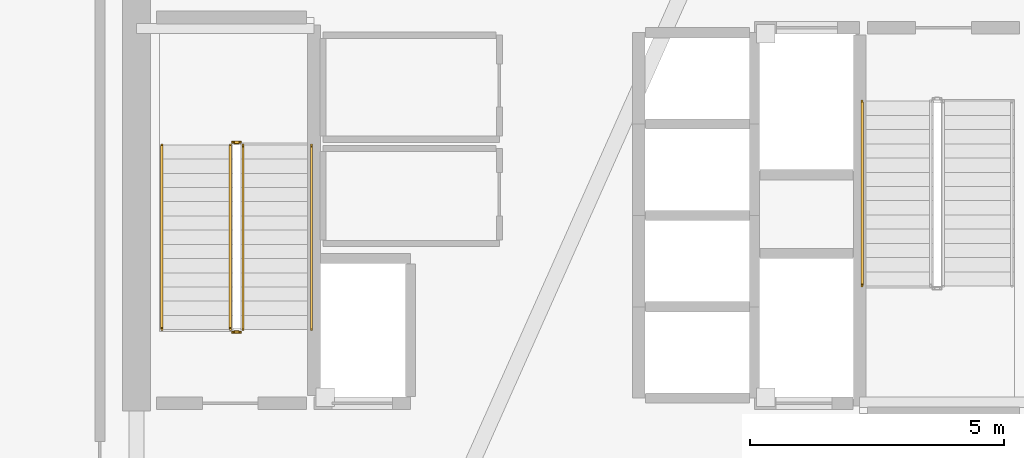
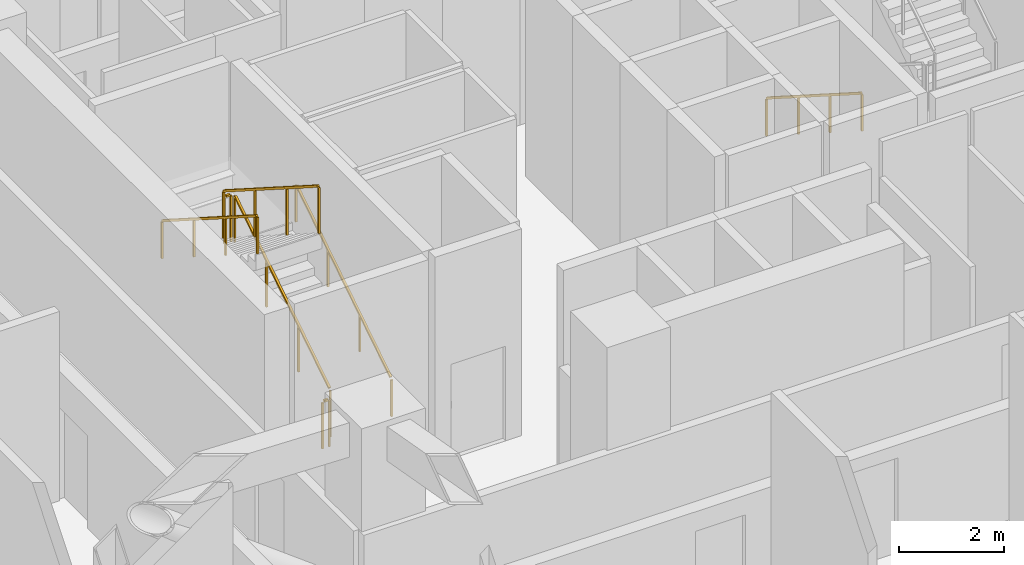
# One storey, part 10 of 13: 7 railings.
"""IFC4 building model written with IfcOpenShell, lengths in metres."""

from ifc_helpers import new_model, si_unit, direction, frame, origin, origin_2d, place, context, subcontext, project, spatial, rectangle, extrude, material, type_object, element, save


model = new_model("IFC4")

# Units and contexts
model_context = context("Model", 3, precision=1e-05, world=origin(), true_north=direction((0.0, 1.0)))
body_context = subcontext(model_context, "Body", "Model", "MODEL_VIEW")
ifc_project = project(units=[si_unit("LENGTHUNIT", "METRE"), si_unit("AREAUNIT", "SQUARE_METRE"), si_unit("VOLUMEUNIT", "CUBIC_METRE"), si_unit("PLANEANGLEUNIT", "RADIAN"), si_unit("MASSUNIT", "GRAM", prefix="KILO")], contexts=[model_context])

# Site, building, storey
site_placement = place(None, origin())
site = spatial("IfcSite", under=ifc_project, at=site_placement, CompositionType="ELEMENT")
building_placement = place(site_placement, origin())
building = spatial("IfcBuilding", under=site, at=building_placement, Name="Tharavind Bronze Gate", CompositionType="ELEMENT")
storey_placement = place(building_placement, frame((0.0, 0.0, 81.10009765625)))
storey = spatial("IfcBuildingStorey", under=building, at=storey_placement, Name="L20", CompositionType="ELEMENT", Elevation=81.10009765625)

# Railings
ifc_material = material(Name="Brushed Bronze Alloy", Category="metal")
railing_type_1 = type_object("IfcRailingType", Name="STAIR BRONZE HANDRAIL 900", PredefinedType="HANDRAIL", material=ifc_material)
railing_1_placement = place(storey_placement, frame((-5.449951171875, -2.25, 0.178466796875)))
element("IfcRailing", 1, at=railing_1_placement, inside=storey, type_object=railing_type_1, Name="L20 ST1 stair handrail 1", PredefinedType="HANDRAIL", context=body_context, shape_type="SweptSolid", body=[
    extrude(rectangle(XDim=0.048095703125, YDim=0.048095703125, at=origin_2d()), frame((0.0, 0.027099609375, 0.89306640625), z_axis=(0.0, 0.843111507901, 0.53773877045), x_axis=(-1.0, 0.0, 0.0)), (0.0, 0.0, 1.0), 4.253173828125),
    extrude(rectangle(XDim=0.0400390625, YDim=0.0400390625, at=origin_2d()), origin(), (0.0, 0.0, 1.0), 0.847900390625),
    extrude(rectangle(XDim=0.0400390625, YDim=0.0400390625, at=origin_2d()), frame((0.0, 1.21337890625, 0.77392578125)), (0.0, 0.0, 1.0), 0.847900390625),
    extrude(rectangle(XDim=0.0400390625, YDim=0.0400390625, at=origin_2d()), frame((0.0, 2.426513671875, 1.547607421875)), (0.0, 0.0, 1.0), 0.847900390625),
    extrude(rectangle(XDim=0.0400390625, YDim=0.0400390625, at=origin_2d()), frame((0.0, 3.639892578125, 2.321533203125)), (0.0, 0.0, 1.0), 0.847900390625),
])
for number, where, name in (
    (2, (-8.39990234375, 1.389892578125, 2.678466796875), "L20 ST1 stair handrail 2"),
    (3, (5.39990234375, 2.25, 0.178466796875), "L20 ST2 stair handrail 1"),
):
    element("IfcRailing", number, at=place(storey_placement, frame(where)), inside=storey, type_object=railing_type_1, Name=name, PredefinedType="HANDRAIL", context=body_context, shape_type="SweptSolid", body=[
        extrude(rectangle(XDim=0.048095703125, YDim=0.048095703125, at=origin_2d()), frame((0.0, -0.027099609375, 0.89306640625), z_axis=(0.0, -0.843111507901, 0.53773877045), x_axis=(1.0, 0.0, 0.0)), (0.0, 0.0, 1.0), 4.253173828125),
        extrude(rectangle(XDim=0.0400390625, YDim=0.0400390625, at=origin_2d()), origin(), (0.0, 0.0, 1.0), 0.847900390625),
        extrude(rectangle(XDim=0.0400390625, YDim=0.0400390625, at=origin_2d()), frame((0.0, -1.21337890625, 0.77392578125)), (0.0, 0.0, 1.0), 0.847900390625),
        extrude(rectangle(XDim=0.0400390625, YDim=0.0400390625, at=origin_2d()), frame((0.0, -2.426513671875, 1.547607421875)), (0.0, 0.0, 1.0), 0.847900390625),
        extrude(rectangle(XDim=0.0400390625, YDim=0.0400390625, at=origin_2d()), frame((0.0, -3.639892578125, 2.321533203125)), (0.0, 0.0, 1.0), 0.847900390625),
    ])
railing_type_2 = type_object("IfcRailingType", Name="STAIR WELL GUARD RAILING 1120", PredefinedType="GUARDRAIL", material=ifc_material)
railing_2_placement = place(storey_placement, frame((-6.800048828125, -2.25, 0.178466796875)))
element("IfcRailing", 4, at=railing_2_placement, inside=storey, type_object=railing_type_2, Name="L20 ST1 stair guard 1", PredefinedType="GUARDRAIL", context=body_context, shape_type="SweptSolid", body=[
    extrude(rectangle(XDim=0.048095703125, YDim=0.048095703125, at=origin_2d()), frame((0.0, 0.027099609375, 1.11328125), z_axis=(0.0, 0.843111507901, 0.53773877045), x_axis=(-1.0, 0.0, 0.0)), (0.0, 0.0, 1.0), 4.253173828125),
    extrude(rectangle(XDim=0.0400390625, YDim=0.0400390625, at=origin_2d()), origin(), (0.0, 0.0, 1.0), 1.068115234375),
    extrude(rectangle(XDim=0.0400390625, YDim=0.0400390625, at=origin_2d()), frame((0.0, 1.21337890625, 0.77392578125)), (0.0, 0.0, 1.0), 1.068115234375),
    extrude(rectangle(XDim=0.0400390625, YDim=0.0400390625, at=origin_2d()), frame((0.0, 2.426513671875, 1.547607421875)), (0.0, 0.0, 1.0), 1.068115234375),
    extrude(rectangle(XDim=0.0400390625, YDim=0.0400390625, at=origin_2d()), frame((0.0, 3.639892578125, 2.321533203125)), (0.0, 0.0, 1.0), 1.068115234375),
])
railing_3_placement = place(storey_placement, frame((-6.85009765625, 1.43994140625, 2.5)))
element("IfcRailing", 5, at=railing_3_placement, inside=storey, type_object=railing_type_2, Name="L20 ST1 stair guard 2", PredefinedType="GUARDRAIL", context=body_context, shape_type="SweptSolid", body=[
    extrude(rectangle(XDim=0.048095703125, YDim=0.048095703125, at=origin_2d()), frame((-0.031982421875, 0.0, 1.09619140625), z_axis=(-1.0, 0.0, 0.0), x_axis=(0.0, -1.0, 0.0)), (0.0, 0.0, 1.0), 0.0859375),
    extrude(rectangle(XDim=0.0400390625, YDim=0.0400390625, at=origin_2d()), origin(), (0.0, 0.0, 1.0), 1.068115234375),
    extrude(rectangle(XDim=0.0400390625, YDim=0.0400390625, at=origin_2d()), frame((-0.14990234375, 0.0, 0.0)), (0.0, 0.0, 1.0), 1.068115234375),
])
railing_4_placement = place(storey_placement, frame((-7.050048828125, 1.389892578125, 2.678466796875)))
element("IfcRailing", 6, at=railing_4_placement, inside=storey, type_object=railing_type_2, Name="L20 ST1 stair guard 3", PredefinedType="GUARDRAIL", context=body_context, shape_type="SweptSolid", body=[
    extrude(rectangle(XDim=0.048095703125, YDim=0.048095703125, at=origin_2d()), frame((0.0, -0.027099609375, 1.11328125), z_axis=(0.0, -0.843111507901, 0.53773877045), x_axis=(1.0, 0.0, 0.0)), (0.0, 0.0, 1.0), 4.253173828125),
    extrude(rectangle(XDim=0.0400390625, YDim=0.0400390625, at=origin_2d()), origin(), (0.0, 0.0, 1.0), 1.068115234375),
    extrude(rectangle(XDim=0.0400390625, YDim=0.0400390625, at=origin_2d()), frame((0.0, -1.21337890625, 0.77392578125)), (0.0, 0.0, 1.0), 1.068115234375),
    extrude(rectangle(XDim=0.0400390625, YDim=0.0400390625, at=origin_2d()), frame((0.0, -2.426513671875, 1.547607421875)), (0.0, 0.0, 1.0), 1.068115234375),
    extrude(rectangle(XDim=0.0400390625, YDim=0.0400390625, at=origin_2d()), frame((0.0, -3.639892578125, 2.321533203125)), (0.0, 0.0, 1.0), 1.068115234375),
])
railing_5_placement = place(storey_placement, frame((-6.85009765625, -2.300048828125, 0.0)))
element("IfcRailing", 7, at=railing_5_placement, inside=storey, type_object=railing_type_2, Name="L20 ST1 stair guard 4", PredefinedType="GUARDRAIL", context=body_context, shape_type="SweptSolid", body=[
    extrude(rectangle(XDim=0.048095703125, YDim=0.048095703125, at=origin_2d()), frame((-0.031982421875, 0.0, 1.09619140625), z_axis=(-1.0, 0.0, 0.0), x_axis=(0.0, -1.0, 0.0)), (0.0, 0.0, 1.0), 0.0859375),
    extrude(rectangle(XDim=0.0400390625, YDim=0.0400390625, at=origin_2d()), origin(), (0.0, 0.0, 1.0), 1.068115234375),
    extrude(rectangle(XDim=0.0400390625, YDim=0.0400390625, at=origin_2d()), frame((-0.14990234375, 0.0, 0.0)), (0.0, 0.0, 1.0), 1.068115234375),
])

save(model, "model.ifc")
